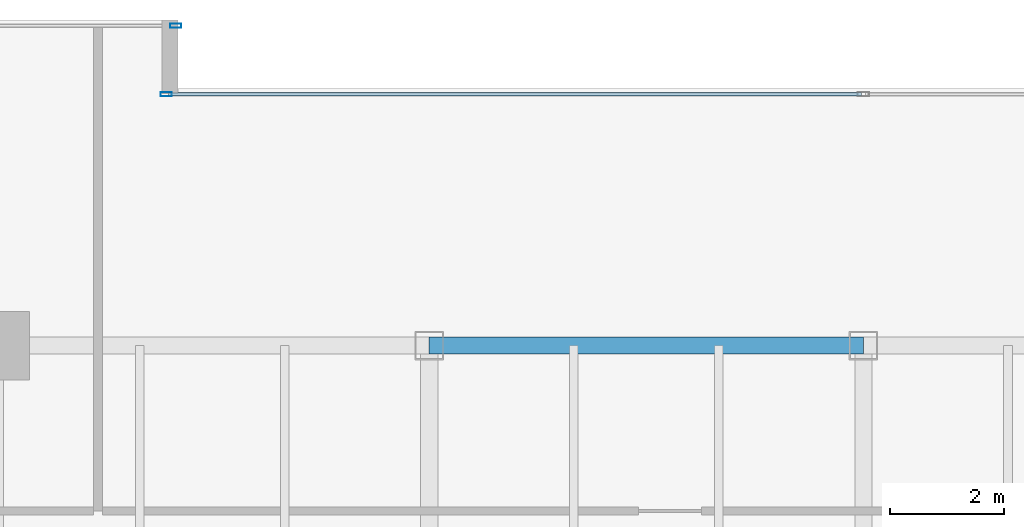
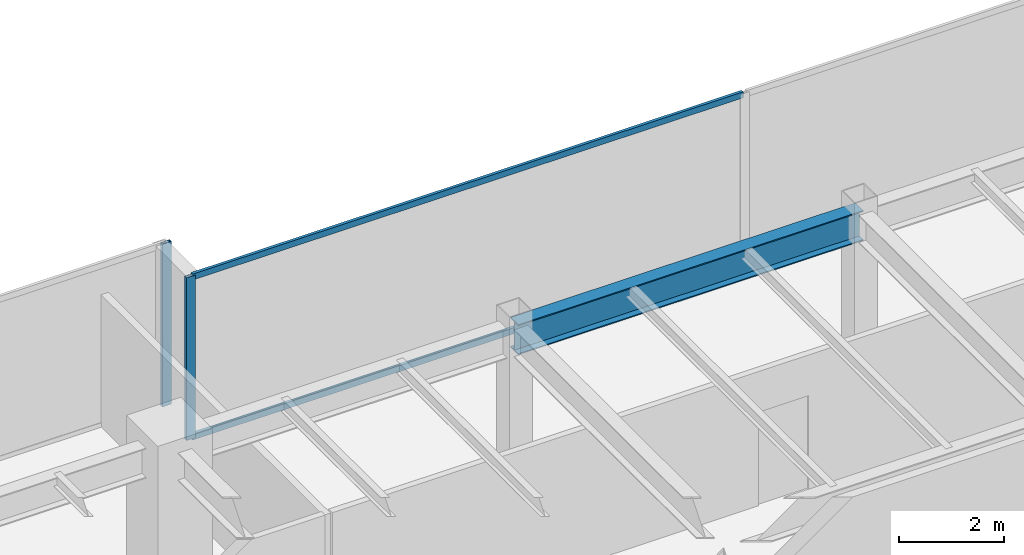
# One storey, part 16 of 30: 4 members, 1 beam, 2 elements without a shape of their own.
"""IFC4 building model written with IfcOpenShell, lengths in metres."""

from ifc_helpers import new_model, si_unit, direction, frame, origin, origin_2d, place, context, subcontext, project, spatial, hollow_rectangle, i_section, extrude, source, transform, mapped, material, layer, layer_set, material_profile, profile_set, type_object, type_shapes, element, aggregate, save


model = new_model("IFC4")

# Units and contexts
model_context = context("Model", 3, precision=1e-05, world=origin(), true_north=direction((0.0, 1.0)))
body_context = subcontext(model_context, "Body", "Model", "MODEL_VIEW")
ifc_project = project(units=[si_unit("LENGTHUNIT", "METRE"), si_unit("AREAUNIT", "SQUARE_METRE"), si_unit("VOLUMEUNIT", "CUBIC_METRE"), si_unit("PLANEANGLEUNIT", "RADIAN"), si_unit("MASSUNIT", "GRAM", prefix="KILO")], contexts=[model_context])

# Site, building, storey
site_placement = place(None, origin())
site = spatial("IfcSite", under=ifc_project, at=site_placement, CompositionType="ELEMENT")
building_placement = place(site_placement, origin())
building = spatial("IfcBuilding", under=site, at=building_placement, Name="Haelvirn Gate Laboratories", CompositionType="ELEMENT")
storey_placement = place(building_placement, frame((0.0, 0.0, 129.699951171875)))
storey = spatial("IfcBuildingStorey", under=building, at=storey_placement, Name="L31", CompositionType="ELEMENT", Elevation=129.699951171875)

# Beam
ifc_material_1 = material(Name="Steel SM355", Category="steel")
ifc_material_profile_1 = material_profile(ifc_material_1, i_section(OverallWidth=0.300048828125, OverallDepth=0.699951171875, WebThickness=0.012939453125, FlangeThickness=0.02392578125, at=origin_2d()), Name="H-700x300x13x24")
ifc_profile_set_1 = profile_set([ifc_material_profile_1], Name="Steel SM355")
beam_type = type_object("IfcBeamType", Name="BM-G-700", PredefinedType="BEAM", material=ifc_profile_set_1)
shared_shape_1 = source(origin(), body_context, "Body", "SweptSolid", [
    extrude(i_section(OverallWidth=0.300048828125, OverallDepth=0.699951171875, WebThickness=0.012939453125, FlangeThickness=0.02392578125, at=origin_2d()), origin(), (0.0, 0.0, 1.0), 7.599853515625),
])
type_shapes(beam_type, [shared_shape_1])
beam_placement = place(storey_placement, frame((29.800048828125, 41.60009765625, 3.43994140625), z_axis=(1.0, 0.0, 0.0), x_axis=(0.0, 1.0, 0.0)))
element("IfcBeam", 1, at=beam_placement, inside=storey, type_object=beam_type, Name="L31 Primary Girder Y41.6 (29.8-37.4)", PredefinedType="BEAM", context=body_context, shape_type="MappedRepresentation", body=[
    mapped(shared_shape_1, transform((0.0, 0.0, 0.0), scale=1.0)),
])

# Curtain wall, members
ifc_material_2 = material(Name="Anodised bronze unitised aluminium & triple low-E glass", Category="aluminium")
ifc_layer = layer(ifc_material_2, 0.179931640625, Name="CW-SYS-3")
ifc_layer_set = layer_set([ifc_layer], Name="Anodised bronze unitised aluminium & triple low-E glass")
curtain_wall_type = type_object("IfcCurtainWallType", Name="CW-SYS-3", PredefinedType="NOTDEFINED", material=ifc_layer_set)
curtain_wall_1_placement = place(storey_placement, origin())
curtain_wall_1 = element("IfcCurtainWall", 2, at=curtain_wall_1_placement, inside=storey, type_object=curtain_wall_type, Name="L31 Unitised Curtain Wall CW-L31-P0-E12-1", PredefinedType="NOTDEFINED")
ifc_material_3 = material(Name="Extruded aluminium 6063-T6 (anodised bronze)", Category="aluminium")
ifc_material_profile_2 = material_profile(ifc_material_3, hollow_rectangle(XDim=0.06494140625, YDim=0.139892578125, WallThickness=0.00390625, at=origin_2d()), Name="CWT-140x65x4")
ifc_profile_set_2 = profile_set([ifc_material_profile_2], Name="Extruded aluminium 6063-T6 (anodised bronze)")
member_type_1 = type_object("IfcMemberType", Name="CWT-T140", PredefinedType="USERDEFINED", material=ifc_profile_set_2)
shared_shape_2 = source(origin(), body_context, "Body", "SweptSolid", [
    extrude(hollow_rectangle(XDim=0.06494140625, YDim=0.139892578125, WallThickness=0.00390625, at=origin_2d()), origin(), (0.0, 0.0, 1.0), 12.12744140625),
])
type_shapes(member_type_1, [shared_shape_2])
member_1_placement = place(storey_placement, frame((25.235107421875, 46.0, 0.032470703125), z_axis=(1.0, 0.0, 0.0), x_axis=(0.0, 1.0, 0.0)))
member_1 = element("IfcMember", 3, at=member_1_placement, type_object=member_type_1, Name="CW3 transom 1.1", ObjectType="TRANSOM", PredefinedType="USERDEFINED", context=body_context, shape_type="MappedRepresentation", body=[
    mapped(shared_shape_2, transform((0.0, 0.0, 0.0), scale=1.0)),
])
member_2_placement = place(storey_placement, frame((25.235107421875, 46.0, 3.757568359375), z_axis=(1.0, 0.0, 0.0), x_axis=(0.0, 1.0, 0.0)))
member_2 = element("IfcMember", 4, at=member_2_placement, type_object=member_type_1, Name="CW3 transom 1.2", ObjectType="TRANSOM", PredefinedType="USERDEFINED", context=body_context, shape_type="MappedRepresentation", body=[
    mapped(shared_shape_2, transform((0.0, 0.0, 0.0), scale=1.0)),
])
ifc_material_profile_3 = material_profile(ifc_material_3, hollow_rectangle(XDim=0.074951171875, YDim=0.199951171875, WallThickness=0.0048828125, at=origin_2d()), Name="CWM-200x75x5")
ifc_profile_set_3 = profile_set([ifc_material_profile_3], Name="Extruded aluminium 6063-T6 (anodised bronze)")
member_type_2 = type_object("IfcMemberType", Name="CWM-T200", PredefinedType="MULLION", material=ifc_profile_set_3)
shared_shape_3 = source(origin(), body_context, "Body", "SweptSolid", [
    extrude(hollow_rectangle(XDim=0.074951171875, YDim=0.199951171875, WallThickness=0.0048828125, at=origin_2d()), origin(), (0.0, 0.0, 1.0), 3.7900390625),
])
type_shapes(member_type_2, [shared_shape_3])
member_3_placement = place(storey_placement, frame((25.197509765625, 46.0, 0.0), z_axis=(0.0, 0.0, 1.0), x_axis=(0.0, 1.0, 0.0)))
member_3 = element("IfcMember", 5, at=member_3_placement, type_object=member_type_2, Name="CW3 mullion 1", PredefinedType="MULLION", context=body_context, shape_type="MappedRepresentation", body=[
    mapped(shared_shape_3, transform((0.0, 0.0, 0.0), scale=1.0)),
])
aggregate(curtain_wall_1, [member_3, member_1, member_2])

# Curtain wall, member
curtain_wall_2_placement = place(storey_placement, origin())
curtain_wall_2 = element("IfcCurtainWall", 6, at=curtain_wall_2_placement, inside=storey, type_object=curtain_wall_type, Name="L31 Unitised Curtain Wall CW-L31-P0-E14-1", PredefinedType="NOTDEFINED")
member_4_placement = place(storey_placement, frame((25.362548828125, 47.199951171875, 0.0), z_axis=(0.0, 0.0, 1.0), x_axis=(0.0, 1.0, 0.0)))
member_4 = element("IfcMember", 7, at=member_4_placement, type_object=member_type_2, Name="CW3 mullion 3", PredefinedType="MULLION", context=body_context, shape_type="MappedRepresentation", body=[
    mapped(shared_shape_3, transform((0.0, 0.0, 0.0), scale=1.0)),
])
aggregate(curtain_wall_2, [member_4])

save(model, "model.ifc")
